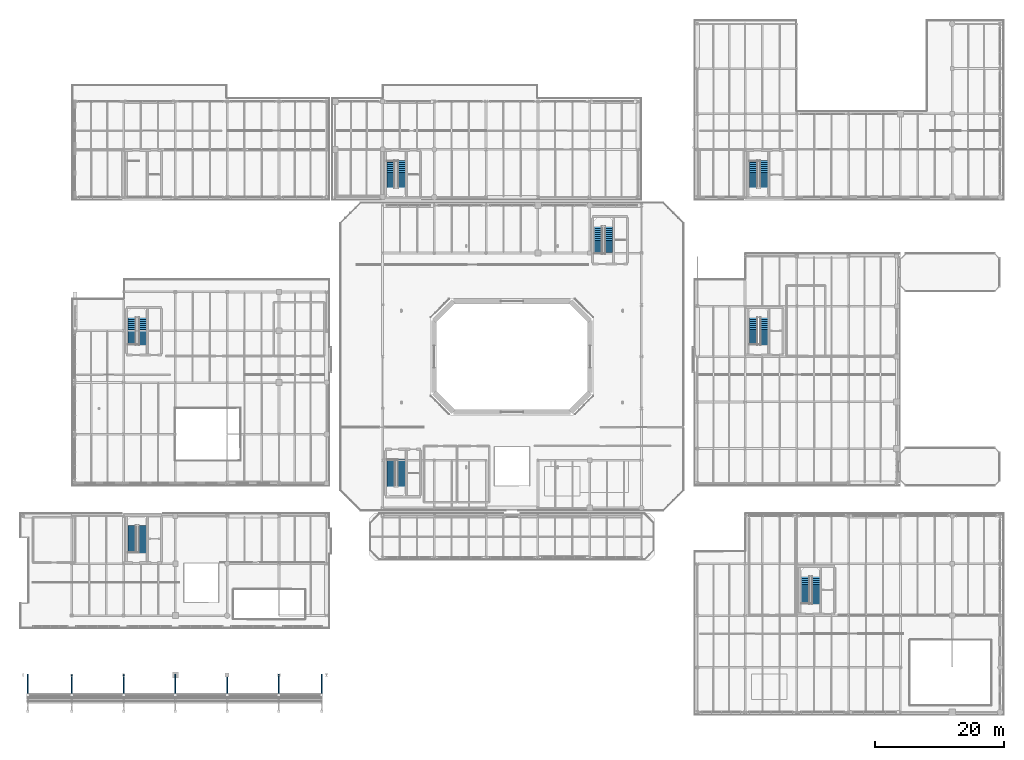
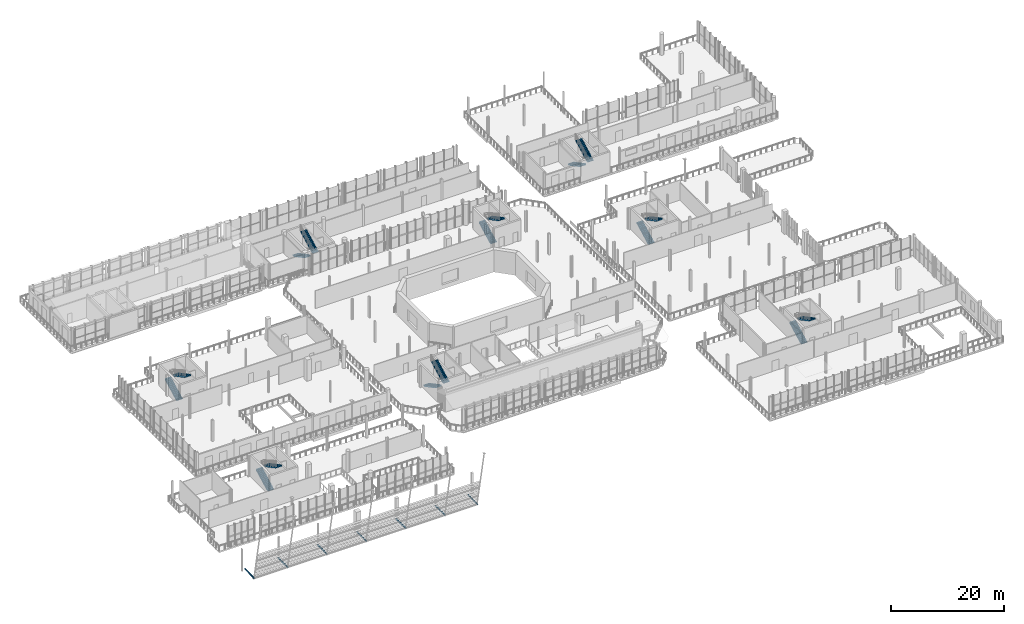
# One storey, part 76 of 93: 16 stair flights, 7 discrete accessories, 8 elements without a shape of their own.
"""IFC4 building model written with IfcOpenShell, lengths in metres."""

import ifcopenshell
import ifcopenshell.guid

model = None  # the IFC model being written
_history = None  # IfcOwnerHistory: only IFC2X3 demands one
_inside = {}  # id of a spatial element -> (the spatial element, [elements in it])
_under = {}  # id of a project, library or spatial element -> (it, [spatial elements below it])
_declared = {}  # id of a project -> (the project, [libraries it declares])
_typed = {}  # id of a type object -> (the type object, [elements of that type])
_made_of = {}  # id of a material, layer set ... -> (it, [elements and type objects made of it])


def new_model(schema):
    """Start an empty IFC model of exactly this schema.

    Asked for "IFC4X3", IfcOpenShell would pick the latest addendum, in which some entities
    have other attributes; the version numbers below select the first issue.
    IFC2X3 requires an IfcOwnerHistory on every rooted entity: one is made here for all.
    """
    global model, _history
    if schema == "IFC4X3":
        model = ifcopenshell.file(schema_version=(4, 3, 0, 0))
    else:
        model = ifcopenshell.file(schema=schema)
    _inside.clear()
    _under.clear()
    _declared.clear()
    _typed.clear()
    _made_of.clear()
    _history = None
    if model.schema == "IFC2X3":
        org = make("IfcOrganization", Name="unknown")
        user = make(
            "IfcPersonAndOrganization",
            ThePerson=make("IfcPerson", FamilyName="unknown"),
            TheOrganization=org,
        )
        app = make(
            "IfcApplication",
            ApplicationDeveloper=org,
            Version="unknown",
            ApplicationFullName="unknown",
            ApplicationIdentifier="unknown",
        )
        _history = make(
            "IfcOwnerHistory",
            OwningUser=user,
            OwningApplication=app,
            ChangeAction="ADDED",
            CreationDate=0,
        )
    return model


def make(cls, **values):
    """One entity of the class cls with the attributes given. An attribute that is None is left unset."""
    return model.create_entity(
        cls, **{name: value for name, value in values.items() if value is not None}
    )


def rooted(cls, **values):
    """An entity with a GlobalId (a new one), such as an element, a storey or a relation."""
    return make(cls, GlobalId=ifcopenshell.guid.new(), OwnerHistory=_history, **values)


def si_unit(unit_type, name, prefix=None):
    """IfcSIUnit, for example si_unit("LENGTHUNIT", "METRE", prefix="MILLI")."""
    return make("IfcSIUnit", UnitType=unit_type, Prefix=prefix, Name=name)


def assignment(units):
    """IfcUnitAssignment: the units of a project."""
    return None if units is None else make("IfcUnitAssignment", Units=units)


def point(xyz):
    """IfcCartesianPoint."""
    return None if xyz is None else make("IfcCartesianPoint", Coordinates=xyz)


def direction(xyz):
    """IfcDirection."""
    return None if xyz is None else make("IfcDirection", DirectionRatios=xyz)


def frame(location, z_axis=None, x_axis=None):
    """IfcAxis2Placement3D, a coordinate frame: its origin and axes. An axis left out is left unset."""
    return make(
        "IfcAxis2Placement3D",
        Location=point(location),
        Axis=direction(z_axis),
        RefDirection=direction(x_axis),
    )


def frame_2d(location, x_axis=None):
    """IfcAxis2Placement2D, a coordinate frame in the plane: its origin and x axis."""
    return make(
        "IfcAxis2Placement2D", Location=point(location), RefDirection=direction(x_axis)
    )


def origin():
    """The frame at (0, 0, 0) with its axes left unset."""
    return frame((0.0, 0.0, 0.0))


def origin_2d():
    """The frame at (0, 0) in the plane with its x axis left unset."""
    return frame_2d((0.0, 0.0))


def place(relative_to, where):
    """IfcLocalPlacement: puts the frame where relative to a parent placement (None: the world)."""
    return make(
        "IfcLocalPlacement", PlacementRelTo=relative_to, RelativePlacement=where
    )


def context(
    kind, dimensions, precision=None, world=None, true_north=None, identifier=None
):
    """IfcGeometricRepresentationContext, for example the 3D "Model" context."""
    return make(
        "IfcGeometricRepresentationContext",
        ContextIdentifier=identifier,
        ContextType=kind,
        CoordinateSpaceDimension=dimensions,
        Precision=precision,
        WorldCoordinateSystem=world,
        TrueNorth=true_north,
    )


def subcontext(parent, identifier, kind, view, scale=None):
    """IfcGeometricRepresentationSubContext, for example "Body" below "Model"."""
    return make(
        "IfcGeometricRepresentationSubContext",
        ContextIdentifier=identifier,
        ContextType=kind,
        ParentContext=parent,
        TargetScale=scale,
        TargetView=view,
    )


def project(units=None, contexts=None):
    """IfcProject with its units and contexts."""
    return rooted(
        "IfcProject",
        Name="project",
        RepresentationContexts=contexts,
        UnitsInContext=assignment(units),
    )


def spatial(cls, under=None, at=None, **own):
    """A site, building, storey or space (cls), placed at a placement, below another one or the project."""
    s = rooted(cls, ObjectPlacement=at, **own)
    if under is not None:
        _under.setdefault(under.id(), (under, []))[1].append(s)
    return s


def polyline(points):
    """IfcPolyline through the points."""
    return make("IfcPolyline", Points=[point(p) for p in points])


def profile(cls, at=None, kind="AREA", **sizes):
    """A parametric profile (cls). Its sizes go by their IFC names, for example OverallWidth=200.0."""
    return make(cls, ProfileType=kind, Position=at, **sizes)


def rectangle(**sizes):
    """IfcRectangleProfileDef."""
    return profile("IfcRectangleProfileDef", **sizes)


def outline(outer, holes=None, kind="AREA"):
    """IfcArbitraryClosedProfileDef: a profile drawn as a closed curve; with holes, ...WithVoids."""
    if holes is None:
        return make("IfcArbitraryClosedProfileDef", ProfileType=kind, OuterCurve=outer)
    return make(
        "IfcArbitraryProfileDefWithVoids",
        ProfileType=kind,
        OuterCurve=outer,
        InnerCurves=holes,
    )


def extrude(swept, where, along, depth):
    """IfcExtrudedAreaSolid: the profile swept, set in the frame where, extruded along a direction by depth."""
    return make(
        "IfcExtrudedAreaSolid",
        SweptArea=swept,
        Position=where,
        ExtrudedDirection=direction(along),
        Depth=depth,
    )


def shape(context_of_items, identifier, shape_type, items):
    """IfcShapeRepresentation: the items that make up one representation, for example the "Body"."""
    return make(
        "IfcShapeRepresentation",
        ContextOfItems=context_of_items,
        RepresentationIdentifier=identifier,
        RepresentationType=shape_type,
        Items=items,
    )


def material(Name=None, Category=None):
    """IfcMaterial."""
    return make("IfcMaterial", Name=Name, Category=Category)


def made_of(thing, what):
    """Note that an element or type object is made of a material, layer set ...; save() writes the relation."""
    if what is not None:
        _made_of.setdefault(what.id(), (what, []))[1].append(thing)
    return thing


def type_object(cls, material=None, **own):
    """A type object (cls), such as IfcWallType, which elements share."""
    return made_of(rooted(cls, **own), material)


def element(
    cls,
    number,
    at=None,
    inside=None,
    cuts=None,
    type_object=None,
    material=None,
    context=None,
    identifier="Body",
    shape_type=None,
    held_by="IfcProductDefinitionShape",
    body=None,
    shapes=None,
    **own,
):
    """One element of the class cls, such as IfcWall. Its Tag is "e" and its number.

    at: its placement. inside: the storey or other place that contains it. cuts: it is an
    opening in that element (IfcRelVoidsElement). A single representation is given by context,
    identifier, shape_type and body (its items); several are given by shapes. held_by: the class
    of the entity that holds the representations. save() writes the other relations.
    """
    e = rooted(cls, Tag="e%d" % number, ObjectPlacement=at, **own)
    if body is not None:
        shapes = [shape(context, identifier, shape_type, body)]
    if shapes is not None:
        e.Representation = make(held_by, Representations=shapes)
    if inside is not None:
        _inside.setdefault(inside.id(), (inside, []))[1].append(e)
    if cuts is not None:
        rooted(
            "IfcRelVoidsElement", RelatingBuildingElement=cuts, RelatedOpeningElement=e
        )
    if type_object is not None:
        _typed.setdefault(type_object.id(), (type_object, []))[1].append(e)
    return made_of(e, material)


def aggregate(whole, parts):
    """IfcRelAggregates: a whole, such as a stair, and the parts it consists of."""
    return rooted("IfcRelAggregates", RelatingObject=whole, RelatedObjects=parts)


def save(model, path):
    """Write the relations noted so far, then the file.

    IfcRelAggregates (storeys below a building ...), IfcRelContainedInSpatialStructure (elements
    in a storey), IfcRelDefinesByType, IfcRelAssociatesMaterial and IfcRelDeclares: one each for
    every whole, place, type object, material and project.
    """
    for whole, parts in _under.values():
        aggregate(whole, parts)
    for where, things in _inside.values():
        rooted(
            "IfcRelContainedInSpatialStructure",
            RelatedElements=things,
            RelatingStructure=where,
        )
    for kind, things in _typed.values():
        rooted("IfcRelDefinesByType", RelatedObjects=things, RelatingType=kind)
    for what, things in _made_of.values():
        rooted("IfcRelAssociatesMaterial", RelatedObjects=things, RelatingMaterial=what)
    for by, libraries in _declared.values():
        rooted("IfcRelDeclares", RelatingContext=by, RelatedDefinitions=libraries)
    model.write(path)


model = new_model("IFC4")

# Units and contexts
model_context = context("Model", 3, precision=1e-05, world=origin(), true_north=direction((0.0, 1.0)))
body_context = subcontext(model_context, "Body", "Model", "MODEL_VIEW")
ifc_project = project(units=[si_unit("LENGTHUNIT", "METRE"), si_unit("AREAUNIT", "SQUARE_METRE"), si_unit("VOLUMEUNIT", "CUBIC_METRE"), si_unit("PLANEANGLEUNIT", "RADIAN"), si_unit("MASSUNIT", "GRAM", prefix="KILO")], contexts=[model_context])

# Site, building, storey
site_placement = place(None, origin())
site = spatial("IfcSite", under=ifc_project, at=site_placement, CompositionType="ELEMENT")
building_placement = place(site_placement, origin())
building = spatial("IfcBuilding", under=site, at=building_placement, Name="Brisemont Oceanarium", CompositionType="ELEMENT")
storey_placement = place(building_placement, frame((0.0, 0.0, 5.39990234375)))
storey = spatial("IfcBuildingStorey", under=building, at=storey_placement, Name="L01", CompositionType="ELEMENT", Elevation=5.39990234375)

# Stair, stair flights
ifc_material_1 = material(Name="Concrete C40/50", Category="concrete")
stair_type_1 = type_object("IfcStairType", Name="STR-CORE-120-48", PredefinedType="HALF_TURN_STAIR", material=ifc_material_1)
stair_1_placement = place(storey_placement, origin())
stair_1 = element("IfcStair", 1, at=stair_1_placement, inside=storey, type_object=stair_type_1, Name="Exit stair ST-05 L01 to L02", PredefinedType="HALF_TURN_STAIR")
ifc_material_2 = material(Name="Concrete C40/50", Category="concrete")
stair_flight_type_1 = type_object("IfcStairFlightType", Name="FLT-CORE-120-48", PredefinedType="STRAIGHT", material=ifc_material_2)
stair_flight_1_placement = place(storey_placement, frame((25.31005859375, 57.800048828125, 0.0), z_axis=(0.0, 0.0, 1.0), x_axis=(0.0, 1.0, 0.0)))
stair_flight_1 = element("IfcStairFlight", 2, at=stair_flight_1_placement, type_object=stair_flight_type_1, Name="ST-05 L01 lower flight", NumberOfRisers=15, NumberOfTreads=14, PredefinedType="STRAIGHT", RiserHeight=0.16, TreadLength=0.303571, context=body_context, shape_type="SweptSolid", body=[
    extrude(outline(polyline([(0.0, 0.0), (0.0, 0.159912109375), (0.303466796875, 0.159912109375), (0.303466796875, 0.320068359375), (0.607177734375, 0.320068359375), (0.607177734375, 0.47998046875), (0.91064453125, 0.47998046875), (0.91064453125, 0.639892578125), (1.21435546875, 0.639892578125), (1.21435546875, 0.800048828125), (1.517822265625, 0.800048828125), (1.517822265625, 0.9599609375), (1.821533203125, 0.9599609375), (1.821533203125, 1.1201171875), (2.125, 1.1201171875), (2.125, 1.280029296875), (2.428466796875, 1.280029296875), (2.428466796875, 1.43994140625), (2.732177734375, 1.43994140625), (2.732177734375, 1.60009765625), (3.03564453125, 1.60009765625), (3.03564453125, 1.760009765625), (3.33935546875, 1.760009765625), (3.33935546875, 1.919921875), (3.642822265625, 1.919921875), (3.642822265625, 2.080078125), (3.946533203125, 2.080078125), (3.946533203125, 2.239990234375), (4.25, 2.239990234375), (4.25, 2.39990234375), (4.25, 1.991455078125), (0.4716796875, 0.0), (0.0, 0.0)])), frame((0.0, 0.60009765625, 0.0), z_axis=(0.0, -1.0, 0.0), x_axis=(1.0, 0.0, 0.0)), (0.0, 0.0, 1.0), 1.199951171875),
])
stair_flight_2_placement = place(storey_placement, frame((26.949951171875, 62.050048828125, 2.400146484375), z_axis=(0.0, 0.0, 1.0), x_axis=(0.0, -1.0, 0.0)))
stair_flight_2 = element("IfcStairFlight", 3, at=stair_flight_2_placement, type_object=stair_flight_type_1, Name="ST-05 L01 upper flight", NumberOfRisers=15, NumberOfTreads=14, PredefinedType="STRAIGHT", RiserHeight=0.16, TreadLength=0.303571, context=body_context, shape_type="SweptSolid", body=[
    extrude(outline(polyline([(0.0, 0.0), (0.0, 0.159912109375), (0.303466796875, 0.159912109375), (0.303466796875, 0.320068359375), (0.607177734375, 0.320068359375), (0.607177734375, 0.47998046875), (0.91064453125, 0.47998046875), (0.91064453125, 0.639892578125), (1.21435546875, 0.639892578125), (1.21435546875, 0.800048828125), (1.517822265625, 0.800048828125), (1.517822265625, 0.9599609375), (1.821533203125, 0.9599609375), (1.821533203125, 1.1201171875), (2.125, 1.1201171875), (2.125, 1.280029296875), (2.428466796875, 1.280029296875), (2.428466796875, 1.43994140625), (2.732177734375, 1.43994140625), (2.732177734375, 1.60009765625), (3.03564453125, 1.60009765625), (3.03564453125, 1.760009765625), (3.33935546875, 1.760009765625), (3.33935546875, 1.919921875), (3.642822265625, 1.919921875), (3.642822265625, 2.080078125), (3.946533203125, 2.080078125), (3.946533203125, 2.239990234375), (4.25, 2.239990234375), (4.25, 2.39990234375), (4.25, 1.991455078125), (0.4716796875, 0.0), (0.0, 0.0)])), frame((0.0, 0.60009765625, 0.0), z_axis=(0.0, -1.0, 0.0), x_axis=(1.0, 0.0, 0.0)), (0.0, 0.0, 1.0), 1.199951171875),
])
aggregate(stair_1, [stair_flight_1, stair_flight_2])

stair_2_placement = place(storey_placement, origin())
stair_2 = element("IfcStair", 4, at=stair_2_placement, inside=storey, type_object=stair_type_1, Name="Exit stair ST-06 L01 to L02", PredefinedType="HALF_TURN_STAIR")
stair_flight_3_placement = place(storey_placement, frame((121.31005859375, 57.800048828125, 0.0), z_axis=(0.0, 0.0, 1.0), x_axis=(0.0, 1.0, 0.0)))
stair_flight_3 = element("IfcStairFlight", 5, at=stair_flight_3_placement, type_object=stair_flight_type_1, Name="ST-06 L01 lower flight", NumberOfRisers=15, NumberOfTreads=14, PredefinedType="STRAIGHT", RiserHeight=0.16, TreadLength=0.303571, context=body_context, shape_type="SweptSolid", body=[
    extrude(outline(polyline([(0.0, 0.0), (0.0, 0.159912109375), (0.303466796875, 0.159912109375), (0.303466796875, 0.320068359375), (0.607177734375, 0.320068359375), (0.607177734375, 0.47998046875), (0.91064453125, 0.47998046875), (0.91064453125, 0.639892578125), (1.21435546875, 0.639892578125), (1.21435546875, 0.800048828125), (1.517822265625, 0.800048828125), (1.517822265625, 0.9599609375), (1.821533203125, 0.9599609375), (1.821533203125, 1.1201171875), (2.125, 1.1201171875), (2.125, 1.280029296875), (2.428466796875, 1.280029296875), (2.428466796875, 1.43994140625), (2.732177734375, 1.43994140625), (2.732177734375, 1.60009765625), (3.03564453125, 1.60009765625), (3.03564453125, 1.760009765625), (3.33935546875, 1.760009765625), (3.33935546875, 1.919921875), (3.642822265625, 1.919921875), (3.642822265625, 2.080078125), (3.946533203125, 2.080078125), (3.946533203125, 2.239990234375), (4.25, 2.239990234375), (4.25, 2.39990234375), (4.25, 1.991455078125), (0.4716796875, 0.0), (0.0, 0.0)])), frame((0.0, 0.60009765625, 0.0), z_axis=(0.0, -1.0, 0.0), x_axis=(1.0, 0.0, 0.0)), (0.0, 0.0, 1.0), 1.199951171875),
])
stair_flight_4_placement = place(storey_placement, frame((122.949951171875, 62.050048828125, 2.400146484375), z_axis=(0.0, 0.0, 1.0), x_axis=(0.0, -1.0, 0.0)))
stair_flight_4 = element("IfcStairFlight", 6, at=stair_flight_4_placement, type_object=stair_flight_type_1, Name="ST-06 L01 upper flight", NumberOfRisers=15, NumberOfTreads=14, PredefinedType="STRAIGHT", RiserHeight=0.16, TreadLength=0.303571, context=body_context, shape_type="SweptSolid", body=[
    extrude(outline(polyline([(0.0, 0.0), (0.0, 0.159912109375), (0.303466796875, 0.159912109375), (0.303466796875, 0.320068359375), (0.607177734375, 0.320068359375), (0.607177734375, 0.47998046875), (0.91064453125, 0.47998046875), (0.91064453125, 0.639892578125), (1.21435546875, 0.639892578125), (1.21435546875, 0.800048828125), (1.517822265625, 0.800048828125), (1.517822265625, 0.9599609375), (1.821533203125, 0.9599609375), (1.821533203125, 1.1201171875), (2.125, 1.1201171875), (2.125, 1.280029296875), (2.428466796875, 1.280029296875), (2.428466796875, 1.43994140625), (2.732177734375, 1.43994140625), (2.732177734375, 1.60009765625), (3.03564453125, 1.60009765625), (3.03564453125, 1.760009765625), (3.33935546875, 1.760009765625), (3.33935546875, 1.919921875), (3.642822265625, 1.919921875), (3.642822265625, 2.080078125), (3.946533203125, 2.080078125), (3.946533203125, 2.239990234375), (4.25, 2.239990234375), (4.25, 2.39990234375), (4.25, 1.991455078125), (0.4716796875, 0.0), (0.0, 0.0)])), frame((0.0, 0.60009765625, 0.0), z_axis=(0.0, -1.0, 0.0), x_axis=(1.0, 0.0, 0.0)), (0.0, 0.0, 1.0), 1.199951171875),
])
aggregate(stair_2, [stair_flight_3, stair_flight_4])

stair_3_placement = place(storey_placement, origin())
stair_3 = element("IfcStair", 7, at=stair_3_placement, inside=storey, type_object=stair_type_1, Name="Exit stair ST-08 L01 to L02", PredefinedType="HALF_TURN_STAIR")
stair_flight_5_placement = place(storey_placement, frame((65.31005859375, 86.300048828125, 0.0), z_axis=(0.0, 0.0, 1.0), x_axis=(0.0, -1.0, 0.0)))
stair_flight_5 = element("IfcStairFlight", 8, at=stair_flight_5_placement, type_object=stair_flight_type_1, Name="ST-08 L01 lower flight", NumberOfRisers=15, NumberOfTreads=14, PredefinedType="STRAIGHT", RiserHeight=0.16, TreadLength=0.303571, context=body_context, shape_type="SweptSolid", body=[
    extrude(outline(polyline([(0.0, 0.0), (0.0, 0.159912109375), (0.303466796875, 0.159912109375), (0.303466796875, 0.320068359375), (0.607177734375, 0.320068359375), (0.607177734375, 0.47998046875), (0.91064453125, 0.47998046875), (0.91064453125, 0.639892578125), (1.21435546875, 0.639892578125), (1.21435546875, 0.800048828125), (1.517822265625, 0.800048828125), (1.517822265625, 0.9599609375), (1.821533203125, 0.9599609375), (1.821533203125, 1.1201171875), (2.125, 1.1201171875), (2.125, 1.280029296875), (2.428466796875, 1.280029296875), (2.428466796875, 1.43994140625), (2.732177734375, 1.43994140625), (2.732177734375, 1.60009765625), (3.03564453125, 1.60009765625), (3.03564453125, 1.760009765625), (3.33935546875, 1.760009765625), (3.33935546875, 1.919921875), (3.642822265625, 1.919921875), (3.642822265625, 2.080078125), (3.946533203125, 2.080078125), (3.946533203125, 2.239990234375), (4.25, 2.239990234375), (4.25, 2.39990234375), (4.25, 1.991455078125), (0.4716796875, 0.0), (0.0, 0.0)])), frame((0.0, 0.60009765625, 0.0), z_axis=(0.0, -1.0, 0.0), x_axis=(1.0, 0.0, 0.0)), (0.0, 0.0, 1.0), 1.199951171875),
])
stair_flight_6_placement = place(storey_placement, frame((66.949951171875, 82.050048828125, 2.400146484375), z_axis=(0.0, 0.0, 1.0), x_axis=(0.0, 1.0, 0.0)))
stair_flight_6 = element("IfcStairFlight", 9, at=stair_flight_6_placement, type_object=stair_flight_type_1, Name="ST-08 L01 upper flight", NumberOfRisers=15, NumberOfTreads=14, PredefinedType="STRAIGHT", RiserHeight=0.16, TreadLength=0.303571, context=body_context, shape_type="SweptSolid", body=[
    extrude(outline(polyline([(0.0, 0.0), (0.0, 0.159912109375), (0.303466796875, 0.159912109375), (0.303466796875, 0.320068359375), (0.607177734375, 0.320068359375), (0.607177734375, 0.47998046875), (0.91064453125, 0.47998046875), (0.91064453125, 0.639892578125), (1.21435546875, 0.639892578125), (1.21435546875, 0.800048828125), (1.517822265625, 0.800048828125), (1.517822265625, 0.9599609375), (1.821533203125, 0.9599609375), (1.821533203125, 1.1201171875), (2.125, 1.1201171875), (2.125, 1.280029296875), (2.428466796875, 1.280029296875), (2.428466796875, 1.43994140625), (2.732177734375, 1.43994140625), (2.732177734375, 1.60009765625), (3.03564453125, 1.60009765625), (3.03564453125, 1.760009765625), (3.33935546875, 1.760009765625), (3.33935546875, 1.919921875), (3.642822265625, 1.919921875), (3.642822265625, 2.080078125), (3.946533203125, 2.080078125), (3.946533203125, 2.239990234375), (4.25, 2.239990234375), (4.25, 2.39990234375), (4.25, 1.991455078125), (0.4716796875, 0.0), (0.0, 0.0)])), frame((0.0, 0.60009765625, 0.0), z_axis=(0.0, -1.0, 0.0), x_axis=(1.0, 0.0, 0.0)), (0.0, 0.0, 1.0), 1.199951171875),
])
aggregate(stair_3, [stair_flight_5, stair_flight_6])

ifc_material_3 = material(Name="Concrete C40/50", Category="concrete")
stair_type_2 = type_object("IfcStairType", Name="STR-CORE-124-48", PredefinedType="HALF_TURN_STAIR", material=ifc_material_3)
stair_4_placement = place(storey_placement, origin())
stair_4 = element("IfcStair", 10, at=stair_4_placement, inside=storey, type_object=stair_type_2, Name="Exit stair ST-01 L01 to L02", PredefinedType="HALF_TURN_STAIR")
ifc_material_4 = material(Name="Concrete C40/50", Category="concrete")
stair_flight_type_2 = type_object("IfcStairFlightType", Name="FLT-CORE-124-48", PredefinedType="STRAIGHT", material=ifc_material_4)
stair_flight_7_placement = place(storey_placement, frame((65.330078125, 40.14990234375, 0.0), z_axis=(0.0, 0.0, 1.0), x_axis=(0.0, -1.0, 0.0)))
stair_flight_7 = element("IfcStairFlight", 11, at=stair_flight_7_placement, type_object=stair_flight_type_2, Name="ST-01 L01 lower flight", NumberOfRisers=15, NumberOfTreads=14, PredefinedType="STRAIGHT", RiserHeight=0.16, TreadLength=0.303571, context=body_context, shape_type="SweptSolid", body=[
    extrude(outline(polyline([(0.0, 0.0), (0.0, 0.159912109375), (0.303466796875, 0.159912109375), (0.303466796875, 0.320068359375), (0.607177734375, 0.320068359375), (0.607177734375, 0.47998046875), (0.91064453125, 0.47998046875), (0.91064453125, 0.639892578125), (1.21435546875, 0.639892578125), (1.21435546875, 0.800048828125), (1.517822265625, 0.800048828125), (1.517822265625, 0.9599609375), (1.821533203125, 0.9599609375), (1.821533203125, 1.1201171875), (2.125, 1.1201171875), (2.125, 1.280029296875), (2.428466796875, 1.280029296875), (2.428466796875, 1.43994140625), (2.732177734375, 1.43994140625), (2.732177734375, 1.60009765625), (3.03564453125, 1.60009765625), (3.03564453125, 1.760009765625), (3.33935546875, 1.760009765625), (3.33935546875, 1.919921875), (3.642822265625, 1.919921875), (3.642822265625, 2.080078125), (3.946533203125, 2.080078125), (3.946533203125, 2.239990234375), (4.25, 2.239990234375), (4.25, 2.39990234375), (4.25, 1.991455078125), (0.4716796875, 0.0), (0.0, 0.0)])), frame((0.0, 0.6201171875, 0.0), z_axis=(0.0, -1.0, 0.0), x_axis=(1.0, 0.0, 0.0)), (0.0, 0.0, 1.0), 1.239990234375),
])
stair_flight_8_placement = place(storey_placement, frame((66.929931640625, 35.89990234375, 2.400146484375), z_axis=(0.0, 0.0, 1.0), x_axis=(0.0, 1.0, 0.0)))
stair_flight_8 = element("IfcStairFlight", 12, at=stair_flight_8_placement, type_object=stair_flight_type_2, Name="ST-01 L01 upper flight", NumberOfRisers=15, NumberOfTreads=14, PredefinedType="STRAIGHT", RiserHeight=0.16, TreadLength=0.303571, context=body_context, shape_type="SweptSolid", body=[
    extrude(outline(polyline([(0.0, 0.0), (0.0, 0.159912109375), (0.303466796875, 0.159912109375), (0.303466796875, 0.320068359375), (0.607177734375, 0.320068359375), (0.607177734375, 0.47998046875), (0.91064453125, 0.47998046875), (0.91064453125, 0.639892578125), (1.21435546875, 0.639892578125), (1.21435546875, 0.800048828125), (1.517822265625, 0.800048828125), (1.517822265625, 0.9599609375), (1.821533203125, 0.9599609375), (1.821533203125, 1.1201171875), (2.125, 1.1201171875), (2.125, 1.280029296875), (2.428466796875, 1.280029296875), (2.428466796875, 1.43994140625), (2.732177734375, 1.43994140625), (2.732177734375, 1.60009765625), (3.03564453125, 1.60009765625), (3.03564453125, 1.760009765625), (3.33935546875, 1.760009765625), (3.33935546875, 1.919921875), (3.642822265625, 1.919921875), (3.642822265625, 2.080078125), (3.946533203125, 2.080078125), (3.946533203125, 2.239990234375), (4.25, 2.239990234375), (4.25, 2.39990234375), (4.25, 1.991455078125), (0.4716796875, 0.0), (0.0, 0.0)])), frame((0.0, 0.6201171875, 0.0), z_axis=(0.0, -1.0, 0.0), x_axis=(1.0, 0.0, 0.0)), (0.0, 0.0, 1.0), 1.239990234375),
])
aggregate(stair_4, [stair_flight_7, stair_flight_8])

stair_5_placement = place(storey_placement, origin())
stair_5 = element("IfcStair", 13, at=stair_5_placement, inside=storey, type_object=stair_type_2, Name="Exit stair ST-02 L01 to L02", PredefinedType="HALF_TURN_STAIR")
stair_flight_9_placement = place(storey_placement, frame((97.330078125, 71.85009765625, 0.0), z_axis=(0.0, 0.0, 1.0), x_axis=(0.0, 1.0, 0.0)))
stair_flight_9 = element("IfcStairFlight", 14, at=stair_flight_9_placement, type_object=stair_flight_type_2, Name="ST-02 L01 lower flight", NumberOfRisers=15, NumberOfTreads=14, PredefinedType="STRAIGHT", RiserHeight=0.16, TreadLength=0.303571, context=body_context, shape_type="SweptSolid", body=[
    extrude(outline(polyline([(0.0, 0.0), (0.0, 0.159912109375), (0.303466796875, 0.159912109375), (0.303466796875, 0.320068359375), (0.607177734375, 0.320068359375), (0.607177734375, 0.47998046875), (0.91064453125, 0.47998046875), (0.91064453125, 0.639892578125), (1.21435546875, 0.639892578125), (1.21435546875, 0.800048828125), (1.517822265625, 0.800048828125), (1.517822265625, 0.9599609375), (1.821533203125, 0.9599609375), (1.821533203125, 1.1201171875), (2.125, 1.1201171875), (2.125, 1.280029296875), (2.428466796875, 1.280029296875), (2.428466796875, 1.43994140625), (2.732177734375, 1.43994140625), (2.732177734375, 1.60009765625), (3.03564453125, 1.60009765625), (3.03564453125, 1.760009765625), (3.33935546875, 1.760009765625), (3.33935546875, 1.919921875), (3.642822265625, 1.919921875), (3.642822265625, 2.080078125), (3.946533203125, 2.080078125), (3.946533203125, 2.239990234375), (4.25, 2.239990234375), (4.25, 2.39990234375), (4.25, 1.991455078125), (0.4716796875, 0.0), (0.0, 0.0)])), frame((0.0, 0.6201171875, 0.0), z_axis=(0.0, -1.0, 0.0), x_axis=(1.0, 0.0, 0.0)), (0.0, 0.0, 1.0), 1.239990234375),
])
stair_flight_10_placement = place(storey_placement, frame((98.929931640625, 76.10009765625, 2.400146484375), z_axis=(0.0, 0.0, 1.0), x_axis=(0.0, -1.0, 0.0)))
stair_flight_10 = element("IfcStairFlight", 15, at=stair_flight_10_placement, type_object=stair_flight_type_2, Name="ST-02 L01 upper flight", NumberOfRisers=15, NumberOfTreads=14, PredefinedType="STRAIGHT", RiserHeight=0.16, TreadLength=0.303571, context=body_context, shape_type="SweptSolid", body=[
    extrude(outline(polyline([(0.0, 0.0), (0.0, 0.159912109375), (0.303466796875, 0.159912109375), (0.303466796875, 0.320068359375), (0.607177734375, 0.320068359375), (0.607177734375, 0.47998046875), (0.91064453125, 0.47998046875), (0.91064453125, 0.639892578125), (1.21435546875, 0.639892578125), (1.21435546875, 0.800048828125), (1.517822265625, 0.800048828125), (1.517822265625, 0.9599609375), (1.821533203125, 0.9599609375), (1.821533203125, 1.1201171875), (2.125, 1.1201171875), (2.125, 1.280029296875), (2.428466796875, 1.280029296875), (2.428466796875, 1.43994140625), (2.732177734375, 1.43994140625), (2.732177734375, 1.60009765625), (3.03564453125, 1.60009765625), (3.03564453125, 1.760009765625), (3.33935546875, 1.760009765625), (3.33935546875, 1.919921875), (3.642822265625, 1.919921875), (3.642822265625, 2.080078125), (3.946533203125, 2.080078125), (3.946533203125, 2.239990234375), (4.25, 2.239990234375), (4.25, 2.39990234375), (4.25, 1.991455078125), (0.4716796875, 0.0), (0.0, 0.0)])), frame((0.0, 0.6201171875, 0.0), z_axis=(0.0, -1.0, 0.0), x_axis=(1.0, 0.0, 0.0)), (0.0, 0.0, 1.0), 1.239990234375),
])
aggregate(stair_5, [stair_flight_9, stair_flight_10])

stair_6_placement = place(storey_placement, origin())
stair_6 = element("IfcStair", 16, at=stair_6_placement, inside=storey, type_object=stair_type_2, Name="Exit stair ST-03 L01 to L02", PredefinedType="HALF_TURN_STAIR")
stair_flight_11_placement = place(storey_placement, frame((25.330078125, 25.699951171875, 0.0), z_axis=(0.0, 0.0, 1.0), x_axis=(0.0, 1.0, 0.0)))
stair_flight_11 = element("IfcStairFlight", 17, at=stair_flight_11_placement, type_object=stair_flight_type_2, Name="ST-03 L01 lower flight", NumberOfRisers=15, NumberOfTreads=14, PredefinedType="STRAIGHT", RiserHeight=0.16, TreadLength=0.303571, context=body_context, shape_type="SweptSolid", body=[
    extrude(outline(polyline([(0.0, 0.0), (0.0, 0.159912109375), (0.303466796875, 0.159912109375), (0.303466796875, 0.320068359375), (0.607177734375, 0.320068359375), (0.607177734375, 0.47998046875), (0.91064453125, 0.47998046875), (0.91064453125, 0.639892578125), (1.21435546875, 0.639892578125), (1.21435546875, 0.800048828125), (1.517822265625, 0.800048828125), (1.517822265625, 0.9599609375), (1.821533203125, 0.9599609375), (1.821533203125, 1.1201171875), (2.125, 1.1201171875), (2.125, 1.280029296875), (2.428466796875, 1.280029296875), (2.428466796875, 1.43994140625), (2.732177734375, 1.43994140625), (2.732177734375, 1.60009765625), (3.03564453125, 1.60009765625), (3.03564453125, 1.760009765625), (3.33935546875, 1.760009765625), (3.33935546875, 1.919921875), (3.642822265625, 1.919921875), (3.642822265625, 2.080078125), (3.946533203125, 2.080078125), (3.946533203125, 2.239990234375), (4.25, 2.239990234375), (4.25, 2.39990234375), (4.25, 1.991455078125), (0.4716796875, 0.0), (0.0, 0.0)])), frame((0.0, 0.6201171875, 0.0), z_axis=(0.0, -1.0, 0.0), x_axis=(1.0, 0.0, 0.0)), (0.0, 0.0, 1.0), 1.239990234375),
])
stair_flight_12_placement = place(storey_placement, frame((26.929931640625, 29.949951171875, 2.400146484375), z_axis=(0.0, 0.0, 1.0), x_axis=(0.0, -1.0, 0.0)))
stair_flight_12 = element("IfcStairFlight", 18, at=stair_flight_12_placement, type_object=stair_flight_type_2, Name="ST-03 L01 upper flight", NumberOfRisers=15, NumberOfTreads=14, PredefinedType="STRAIGHT", RiserHeight=0.16, TreadLength=0.303571, context=body_context, shape_type="SweptSolid", body=[
    extrude(outline(polyline([(0.0, 0.0), (0.0, 0.159912109375), (0.303466796875, 0.159912109375), (0.303466796875, 0.320068359375), (0.607177734375, 0.320068359375), (0.607177734375, 0.47998046875), (0.91064453125, 0.47998046875), (0.91064453125, 0.639892578125), (1.21435546875, 0.639892578125), (1.21435546875, 0.800048828125), (1.517822265625, 0.800048828125), (1.517822265625, 0.9599609375), (1.821533203125, 0.9599609375), (1.821533203125, 1.1201171875), (2.125, 1.1201171875), (2.125, 1.280029296875), (2.428466796875, 1.280029296875), (2.428466796875, 1.43994140625), (2.732177734375, 1.43994140625), (2.732177734375, 1.60009765625), (3.03564453125, 1.60009765625), (3.03564453125, 1.760009765625), (3.33935546875, 1.760009765625), (3.33935546875, 1.919921875), (3.642822265625, 1.919921875), (3.642822265625, 2.080078125), (3.946533203125, 2.080078125), (3.946533203125, 2.239990234375), (4.25, 2.239990234375), (4.25, 2.39990234375), (4.25, 1.991455078125), (0.4716796875, 0.0), (0.0, 0.0)])), frame((0.0, 0.6201171875, 0.0), z_axis=(0.0, -1.0, 0.0), x_axis=(1.0, 0.0, 0.0)), (0.0, 0.0, 1.0), 1.239990234375),
])
aggregate(stair_6, [stair_flight_11, stair_flight_12])

stair_7_placement = place(storey_placement, origin())
stair_7 = element("IfcStair", 19, at=stair_7_placement, inside=storey, type_object=stair_type_2, Name="Exit stair ST-04 L01 to L02", PredefinedType="HALF_TURN_STAIR")
stair_flight_13_placement = place(storey_placement, frame((129.330078125, 17.800048828125, 0.0), z_axis=(0.0, 0.0, 1.0), x_axis=(0.0, 1.0, 0.0)))
stair_flight_13 = element("IfcStairFlight", 20, at=stair_flight_13_placement, type_object=stair_flight_type_2, Name="ST-04 L01 lower flight", NumberOfRisers=15, NumberOfTreads=14, PredefinedType="STRAIGHT", RiserHeight=0.16, TreadLength=0.303571, context=body_context, shape_type="SweptSolid", body=[
    extrude(outline(polyline([(0.0, 0.0), (0.0, 0.159912109375), (0.303466796875, 0.159912109375), (0.303466796875, 0.320068359375), (0.607177734375, 0.320068359375), (0.607177734375, 0.47998046875), (0.91064453125, 0.47998046875), (0.91064453125, 0.639892578125), (1.21435546875, 0.639892578125), (1.21435546875, 0.800048828125), (1.517822265625, 0.800048828125), (1.517822265625, 0.9599609375), (1.821533203125, 0.9599609375), (1.821533203125, 1.1201171875), (2.125, 1.1201171875), (2.125, 1.280029296875), (2.428466796875, 1.280029296875), (2.428466796875, 1.43994140625), (2.732177734375, 1.43994140625), (2.732177734375, 1.60009765625), (3.03564453125, 1.60009765625), (3.03564453125, 1.760009765625), (3.33935546875, 1.760009765625), (3.33935546875, 1.919921875), (3.642822265625, 1.919921875), (3.642822265625, 2.080078125), (3.946533203125, 2.080078125), (3.946533203125, 2.239990234375), (4.25, 2.239990234375), (4.25, 2.39990234375), (4.25, 1.991455078125), (0.4716796875, 0.0), (0.0, 0.0)])), frame((0.0, 0.6201171875, 0.0), z_axis=(0.0, -1.0, 0.0), x_axis=(1.0, 0.0, 0.0)), (0.0, 0.0, 1.0), 1.239990234375),
])
stair_flight_14_placement = place(storey_placement, frame((130.929931640625, 22.050048828125, 2.400146484375), z_axis=(0.0, 0.0, 1.0), x_axis=(0.0, -1.0, 0.0)))
stair_flight_14 = element("IfcStairFlight", 21, at=stair_flight_14_placement, type_object=stair_flight_type_2, Name="ST-04 L01 upper flight", NumberOfRisers=15, NumberOfTreads=14, PredefinedType="STRAIGHT", RiserHeight=0.16, TreadLength=0.303571, context=body_context, shape_type="SweptSolid", body=[
    extrude(outline(polyline([(0.0, 0.0), (0.0, 0.159912109375), (0.303466796875, 0.159912109375), (0.303466796875, 0.320068359375), (0.607177734375, 0.320068359375), (0.607177734375, 0.47998046875), (0.91064453125, 0.47998046875), (0.91064453125, 0.639892578125), (1.21435546875, 0.639892578125), (1.21435546875, 0.800048828125), (1.517822265625, 0.800048828125), (1.517822265625, 0.9599609375), (1.821533203125, 0.9599609375), (1.821533203125, 1.1201171875), (2.125, 1.1201171875), (2.125, 1.280029296875), (2.428466796875, 1.280029296875), (2.428466796875, 1.43994140625), (2.732177734375, 1.43994140625), (2.732177734375, 1.60009765625), (3.03564453125, 1.60009765625), (3.03564453125, 1.760009765625), (3.33935546875, 1.760009765625), (3.33935546875, 1.919921875), (3.642822265625, 1.919921875), (3.642822265625, 2.080078125), (3.946533203125, 2.080078125), (3.946533203125, 2.239990234375), (4.25, 2.239990234375), (4.25, 2.39990234375), (4.25, 1.991455078125), (0.4716796875, 0.0), (0.0, 0.0)])), frame((0.0, 0.6201171875, 0.0), z_axis=(0.0, -1.0, 0.0), x_axis=(1.0, 0.0, 0.0)), (0.0, 0.0, 1.0), 1.239990234375),
])
aggregate(stair_7, [stair_flight_13, stair_flight_14])

stair_8_placement = place(storey_placement, origin())
stair_8 = element("IfcStair", 22, at=stair_8_placement, inside=storey, type_object=stair_type_2, Name="Exit stair ST-07 L01 to L02", PredefinedType="HALF_TURN_STAIR")
stair_flight_15_placement = place(storey_placement, frame((121.330078125, 86.300048828125, 0.0), z_axis=(0.0, 0.0, 1.0), x_axis=(0.0, -1.0, 0.0)))
stair_flight_15 = element("IfcStairFlight", 23, at=stair_flight_15_placement, type_object=stair_flight_type_2, Name="ST-07 L01 lower flight", NumberOfRisers=15, NumberOfTreads=14, PredefinedType="STRAIGHT", RiserHeight=0.16, TreadLength=0.303571, context=body_context, shape_type="SweptSolid", body=[
    extrude(outline(polyline([(0.0, 0.0), (0.0, 0.159912109375), (0.303466796875, 0.159912109375), (0.303466796875, 0.320068359375), (0.607177734375, 0.320068359375), (0.607177734375, 0.47998046875), (0.91064453125, 0.47998046875), (0.91064453125, 0.639892578125), (1.21435546875, 0.639892578125), (1.21435546875, 0.800048828125), (1.517822265625, 0.800048828125), (1.517822265625, 0.9599609375), (1.821533203125, 0.9599609375), (1.821533203125, 1.1201171875), (2.125, 1.1201171875), (2.125, 1.280029296875), (2.428466796875, 1.280029296875), (2.428466796875, 1.43994140625), (2.732177734375, 1.43994140625), (2.732177734375, 1.60009765625), (3.03564453125, 1.60009765625), (3.03564453125, 1.760009765625), (3.33935546875, 1.760009765625), (3.33935546875, 1.919921875), (3.642822265625, 1.919921875), (3.642822265625, 2.080078125), (3.946533203125, 2.080078125), (3.946533203125, 2.239990234375), (4.25, 2.239990234375), (4.25, 2.39990234375), (4.25, 1.991455078125), (0.4716796875, 0.0), (0.0, 0.0)])), frame((0.0, 0.6201171875, 0.0), z_axis=(0.0, -1.0, 0.0), x_axis=(1.0, 0.0, 0.0)), (0.0, 0.0, 1.0), 1.239990234375),
])
stair_flight_16_placement = place(storey_placement, frame((122.929931640625, 82.050048828125, 2.400146484375), z_axis=(0.0, 0.0, 1.0), x_axis=(0.0, 1.0, 0.0)))
stair_flight_16 = element("IfcStairFlight", 24, at=stair_flight_16_placement, type_object=stair_flight_type_2, Name="ST-07 L01 upper flight", NumberOfRisers=15, NumberOfTreads=14, PredefinedType="STRAIGHT", RiserHeight=0.16, TreadLength=0.303571, context=body_context, shape_type="SweptSolid", body=[
    extrude(outline(polyline([(0.0, 0.0), (0.0, 0.159912109375), (0.303466796875, 0.159912109375), (0.303466796875, 0.320068359375), (0.607177734375, 0.320068359375), (0.607177734375, 0.47998046875), (0.91064453125, 0.47998046875), (0.91064453125, 0.639892578125), (1.21435546875, 0.639892578125), (1.21435546875, 0.800048828125), (1.517822265625, 0.800048828125), (1.517822265625, 0.9599609375), (1.821533203125, 0.9599609375), (1.821533203125, 1.1201171875), (2.125, 1.1201171875), (2.125, 1.280029296875), (2.428466796875, 1.280029296875), (2.428466796875, 1.43994140625), (2.732177734375, 1.43994140625), (2.732177734375, 1.60009765625), (3.03564453125, 1.60009765625), (3.03564453125, 1.760009765625), (3.33935546875, 1.760009765625), (3.33935546875, 1.919921875), (3.642822265625, 1.919921875), (3.642822265625, 2.080078125), (3.946533203125, 2.080078125), (3.946533203125, 2.239990234375), (4.25, 2.239990234375), (4.25, 2.39990234375), (4.25, 1.991455078125), (0.4716796875, 0.0), (0.0, 0.0)])), frame((0.0, 0.6201171875, 0.0), z_axis=(0.0, -1.0, 0.0), x_axis=(1.0, 0.0, 0.0)), (0.0, 0.0, 1.0), 1.239990234375),
])
aggregate(stair_8, [stair_flight_15, stair_flight_16])

# Discrete accessories
ifc_material_5 = material(Name="Duplex Stainless Steel EN 1.4462", Category="steel")
discrete_accessory_type = type_object("IfcDiscreteAccessoryType", Name="ACC-BRK-DSS", PredefinedType="BRACKET", material=ifc_material_5)
for number, where, z_axis, x_axis, name in (
    (25, (9.199951171875, 5.28466796875, 0.06005859375), (0.0, 0.0, 1.0), (1.0, 0.0, 0.0), "V2 stepped facade outrigger bracket S1-L01"),
    (26, (16.0, 5.28466796875, 0.06005859375), (0.0, 0.0, 1.0), (1.0, 0.0, 0.0), "V2 stepped facade outrigger bracket S2-L01"),
    (27, (24.0, 5.28466796875, 0.06005859375), (0.0, 0.0, 1.0), (1.0, 0.0, 0.0), "V2 stepped facade outrigger bracket S3-L01"),
    (28, (32.0, 5.28466796875, 0.06005859375), (0.0, 0.0, 1.0), (1.0, 0.0, 0.0), "V2 stepped facade outrigger bracket S4-L01"),
    (29, (40.0, 5.28466796875, 0.06005859375), (0.0, 0.0, 1.0), (1.0, 0.0, 0.0), "V2 stepped facade outrigger bracket S5-L01"),
    (30, (48.0, 5.28466796875, 0.06005859375), (0.0, 0.0, 1.0), (1.0, 0.0, 0.0), "V2 stepped facade outrigger bracket S6-L01"),
    (31, (54.60009765625, 5.28466796875, 0.06005859375), (0.0, 0.0, 1.0), (1.0, 0.0, 0.0), "V2 stepped facade outrigger bracket S7-L01"),
):
    element("IfcDiscreteAccessory", number, at=place(storey_placement, frame(where, z_axis=z_axis, x_axis=x_axis)), inside=storey, type_object=discrete_accessory_type, Name=name, PredefinedType="BRACKET", context=body_context, shape_type="SweptSolid", body=[
        extrude(rectangle(XDim=0.159912109375, YDim=3.33056640625, at=origin_2d()), origin(), (0.0, 0.0, 1.0), 0.179931640625),
    ])

save(model, "model.ifc")
